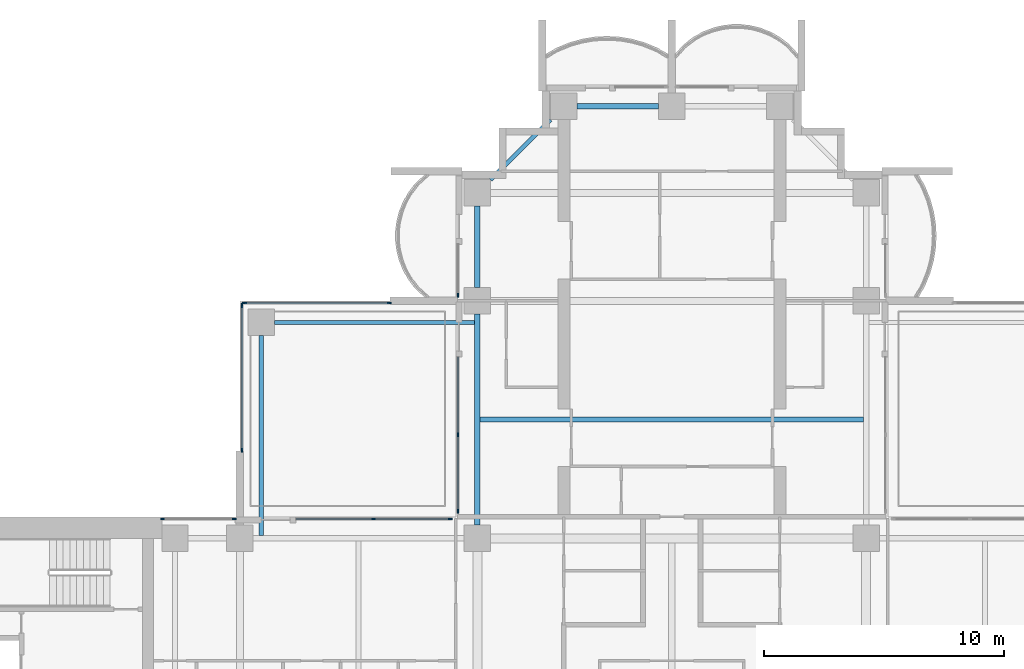
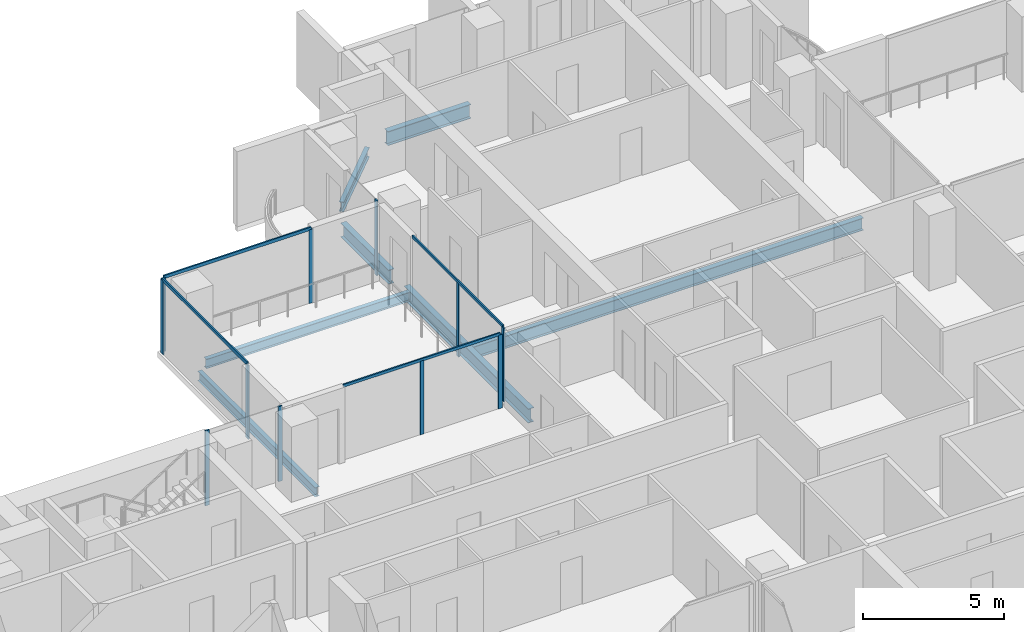
# One storey, part 5 of 19: 15 members, 7 beams, 6 elements without a shape of their own.
"""IFC4 building model written with IfcOpenShell, lengths in metres."""

from ifc_helpers import new_model, si_unit, direction, frame, origin, origin_2d, place, context, subcontext, project, spatial, rectangle, i_section, extrude, material, material_profile, profile_set, type_object, element, aggregate, save


model = new_model("IFC4")

# Units and contexts
model_context = context("Model", 3, precision=1e-05, world=origin(), true_north=direction((0.0, 1.0)))
body_context = subcontext(model_context, "Body", "Model", "MODEL_VIEW")
ifc_project = project(units=[si_unit("LENGTHUNIT", "METRE"), si_unit("AREAUNIT", "SQUARE_METRE"), si_unit("VOLUMEUNIT", "CUBIC_METRE"), si_unit("PLANEANGLEUNIT", "RADIAN"), si_unit("MASSUNIT", "GRAM", prefix="KILO")], contexts=[model_context])

# Site, building, storey
site_placement = place(None, origin())
site = spatial("IfcSite", under=ifc_project, at=site_placement, CompositionType="ELEMENT")
building_placement = place(site_placement, origin())
building = spatial("IfcBuilding", under=site, at=building_placement, Name="Perihelion Cross Residences", CompositionType="ELEMENT")
storey_placement = place(building_placement, frame((0.0, 0.0, 109.39990234375)))
storey = spatial("IfcBuildingStorey", under=building, at=storey_placement, Name="L25", CompositionType="ELEMENT", Elevation=109.39990234375)

# Curtain wall, member
ifc_material_1 = material(Name="Bronze anodised aluminium, tinted glazing", Category="aluminium")
curtain_wall_type_1 = type_object("IfcCurtainWallType", Name="CW1", PredefinedType="NOTDEFINED", material=ifc_material_1)
curtain_wall_1_placement = place(storey_placement, origin())
curtain_wall_1 = element("IfcCurtainWall", 1, at=curtain_wall_1_placement, inside=storey, type_object=curtain_wall_type_1, Name="Curtain wall CW1 L25 north side west bay 1", PredefinedType="NOTDEFINED")
ifc_material_2 = material(Name="Bronze anodised aluminium", Category="aluminium")
ifc_material_profile_1 = material_profile(ifc_material_2, rectangle(XDim=0.06005859375, YDim=0.159912109375, at=origin_2d()), Name="CW1 mullion")
ifc_profile_set_1 = profile_set([ifc_material_profile_1], Name="Bronze anodised aluminium")
member_type_1 = type_object("IfcMemberType", Name="CW1 mullion", PredefinedType="MULLION", material=ifc_profile_set_1)
member_1_placement = place(storey_placement, frame((-8.89990234375, 18.22998046875, 0.0), z_axis=(0.0, 0.0, 1.0), x_axis=(1.0, 0.0, 0.0)))
member_1 = element("IfcMember", 2, at=member_1_placement, type_object=member_type_1, Name="CW1 mullion 2", PredefinedType="MULLION", context=body_context, shape_type="SweptSolid", body=[
    extrude(rectangle(XDim=0.06005859375, YDim=0.159912109375, at=origin_2d()), origin(), (0.0, 0.0, 1.0), 3.25),
])
aggregate(curtain_wall_1, [member_1])

# Curtain wall, members
curtain_wall_2_placement = place(storey_placement, origin())
curtain_wall_2 = element("IfcCurtainWall", 3, at=curtain_wall_2_placement, inside=storey, type_object=curtain_wall_type_1, Name="Curtain wall CW1 L25 north side west bay 2", PredefinedType="NOTDEFINED")
member_2_placement = place(storey_placement, frame((-8.89990234375, 12.425048828125, 0.0), z_axis=(0.0, 0.0, 1.0), x_axis=(1.0, 0.0, 0.0)))
member_2 = element("IfcMember", 4, at=member_2_placement, type_object=member_type_1, Name="CW1 mullion 2", PredefinedType="MULLION", context=body_context, shape_type="SweptSolid", body=[
    extrude(rectangle(XDim=0.06005859375, YDim=0.159912109375, at=origin_2d()), origin(), (0.0, 0.0, 1.0), 3.190185546875),
])
member_3_placement = place(storey_placement, frame((-8.89990234375, 9.22998046875, 0.0), z_axis=(0.0, 0.0, 1.0), x_axis=(1.0, 0.0, 0.0)))
member_3 = element("IfcMember", 5, at=member_3_placement, type_object=member_type_1, Name="CW1 mullion 3", PredefinedType="MULLION", context=body_context, shape_type="SweptSolid", body=[
    extrude(rectangle(XDim=0.06005859375, YDim=0.159912109375, at=origin_2d()), origin(), (0.0, 0.0, 1.0), 3.190185546875),
])

curtain_wall_3_placement = place(storey_placement, origin())
curtain_wall_3 = element("IfcCurtainWall", 6, at=curtain_wall_3_placement, inside=storey, type_object=curtain_wall_type_1, Name="Curtain wall CW1 L25 west side north bay 1", PredefinedType="NOTDEFINED")
member_4_placement = place(storey_placement, frame((-9.22998046875, 8.89990234375, 0.0), z_axis=(0.0, 0.0, 1.0), x_axis=(0.0, -1.0, 0.0)))
member_4 = element("IfcMember", 7, at=member_4_placement, type_object=member_type_1, Name="CW1 mullion 1", PredefinedType="MULLION", context=body_context, shape_type="SweptSolid", body=[
    extrude(rectangle(XDim=0.06005859375, YDim=0.159912109375, at=origin_2d()), origin(), (0.0, 0.0, 1.0), 3.190185546875),
])
member_5_placement = place(storey_placement, frame((-12.425048828125, 8.89990234375, 0.0), z_axis=(0.0, 0.0, 1.0), x_axis=(0.0, -1.0, 0.0)))
member_5 = element("IfcMember", 8, at=member_5_placement, type_object=member_type_1, Name="CW1 mullion 2", PredefinedType="MULLION", context=body_context, shape_type="SweptSolid", body=[
    extrude(rectangle(XDim=0.06005859375, YDim=0.159912109375, at=origin_2d()), origin(), (0.0, 0.0, 1.0), 3.190185546875),
])

curtain_wall_4_placement = place(storey_placement, origin())
curtain_wall_4 = element("IfcCurtainWall", 9, at=curtain_wall_4_placement, inside=storey, type_object=curtain_wall_type_1, Name="Curtain wall CW1 L25 west side north bay 2", PredefinedType="NOTDEFINED")
member_6_placement = place(storey_placement, frame((-18.22998046875, 8.89990234375, 0.0), z_axis=(0.0, 0.0, 1.0), x_axis=(0.0, -1.0, 0.0)))
member_6 = element("IfcMember", 10, at=member_6_placement, type_object=member_type_1, Name="CW1 mullion 1", PredefinedType="MULLION", context=body_context, shape_type="SweptSolid", body=[
    extrude(rectangle(XDim=0.06005859375, YDim=0.159912109375, at=origin_2d()), origin(), (0.0, 0.0, 1.0), 3.25),
])
member_7_placement = place(storey_placement, frame((-21.219970703125, 8.89990234375, 0.0), z_axis=(0.0, 0.0, 1.0), x_axis=(0.0, -1.0, 0.0)))
member_7 = element("IfcMember", 11, at=member_7_placement, type_object=member_type_1, Name="CW1 mullion 2", PredefinedType="MULLION", context=body_context, shape_type="SweptSolid", body=[
    extrude(rectangle(XDim=0.06005859375, YDim=0.159912109375, at=origin_2d()), origin(), (0.0, 0.0, 1.0), 3.25),
])
aggregate(curtain_wall_4, [member_6, member_7])

# Member
ifc_material_3 = material(Name="Bronze anodised aluminium", Category="aluminium")
ifc_material_profile_2 = material_profile(ifc_material_3, rectangle(XDim=0.06005859375, YDim=0.1201171875, at=origin_2d()), Name="CW1 transom")
ifc_profile_set_2 = profile_set([ifc_material_profile_2], Name="Bronze anodised aluminium")
member_type_2 = type_object("IfcMemberType", Name="CW1 transom", PredefinedType="USERDEFINED", material=ifc_profile_set_2)
member_8_placement = place(storey_placement, frame((-8.89990234375, 15.64990234375, 3.22021484375), z_axis=(0.0, -1.0, 0.0), x_axis=(1.0, 0.0, 0.0)))
member_8 = element("IfcMember", 12, at=member_8_placement, type_object=member_type_2, Name="CW1 head transom", ObjectType="TRANSOM", PredefinedType="USERDEFINED", context=body_context, shape_type="SweptSolid", body=[
    extrude(rectangle(XDim=0.06005859375, YDim=0.1201171875, at=origin_2d()), origin(), (0.0, 0.0, 1.0), 6.419921875),
])

aggregate(curtain_wall_2, [member_2, member_3, member_8])

member_9_placement = place(storey_placement, frame((-9.22998046875, 8.89990234375, 3.22021484375), z_axis=(-1.0, 0.0, 0.0), x_axis=(0.0, -1.0, 0.0)))
member_9 = element("IfcMember", 13, at=member_9_placement, type_object=member_type_2, Name="CW1 head transom", ObjectType="TRANSOM", PredefinedType="USERDEFINED", context=body_context, shape_type="SweptSolid", body=[
    extrude(rectangle(XDim=0.06005859375, YDim=0.1201171875, at=origin_2d()), origin(), (0.0, 0.0, 1.0), 6.419921875),
])

aggregate(curtain_wall_3, [member_4, member_5, member_9])

# Curtain wall, members
ifc_material_4 = material(Name="Bronze anodised aluminium, tinted glazing", Category="aluminium")
curtain_wall_type_2 = type_object("IfcCurtainWallType", Name="CW4", PredefinedType="NOTDEFINED", material=ifc_material_4)
curtain_wall_5_placement = place(storey_placement, origin())
curtain_wall_5 = element("IfcCurtainWall", 14, at=curtain_wall_5_placement, inside=storey, type_object=curtain_wall_type_2, Name="Curtain wall CW4 L25 pocket north-west 1 1", PredefinedType="NOTDEFINED")
ifc_material_5 = material(Name="Bronze anodised aluminium", Category="aluminium")
ifc_material_profile_3 = material_profile(ifc_material_5, rectangle(XDim=0.06005859375, YDim=0.179931640625, at=origin_2d()), Name="CW4 mullion")
ifc_profile_set_3 = profile_set([ifc_material_profile_3], Name="Bronze anodised aluminium")
member_type_3 = type_object("IfcMemberType", Name="CW4 mullion", PredefinedType="MULLION", material=ifc_profile_set_3)
member_10_placement = place(storey_placement, frame((-17.89990234375, 11.77001953125, 0.0), z_axis=(0.0, 0.0, 1.0), x_axis=(-1.0, 0.0, 0.0)))
member_10 = element("IfcMember", 15, at=member_10_placement, type_object=member_type_3, Name="CW4 mullion 1", PredefinedType="MULLION", context=body_context, shape_type="SweptSolid", body=[
    extrude(rectangle(XDim=0.06005859375, YDim=0.179931640625, at=origin_2d()), origin(), (0.0, 0.0, 1.0), 3.190185546875),
])
member_11_placement = place(storey_placement, frame((-17.89990234375, 17.800048828125, 0.0), z_axis=(0.0, 0.0, 1.0), x_axis=(-1.0, 0.0, 0.0)))
member_11 = element("IfcMember", 16, at=member_11_placement, type_object=member_type_3, Name="CW4 mullion 2", PredefinedType="MULLION", context=body_context, shape_type="SweptSolid", body=[
    extrude(rectangle(XDim=0.06005859375, YDim=0.179931640625, at=origin_2d()), origin(), (0.0, 0.0, 1.0), 3.190185546875),
])

curtain_wall_6_placement = place(storey_placement, origin())
curtain_wall_6 = element("IfcCurtainWall", 17, at=curtain_wall_6_placement, inside=storey, type_object=curtain_wall_type_2, Name="Curtain wall CW4 L25 pocket north-west 1 2", PredefinedType="NOTDEFINED")
member_12_placement = place(storey_placement, frame((-17.800048828125, 17.89990234375, 0.0), z_axis=(0.0, 0.0, 1.0), x_axis=(0.0, 1.0, 0.0)))
member_12 = element("IfcMember", 18, at=member_12_placement, type_object=member_type_3, Name="CW4 mullion 1", PredefinedType="MULLION", context=body_context, shape_type="SweptSolid", body=[
    extrude(rectangle(XDim=0.06005859375, YDim=0.179931640625, at=origin_2d()), origin(), (0.0, 0.0, 1.0), 3.190185546875),
])
member_13_placement = place(storey_placement, frame((-11.77001953125, 17.89990234375, 0.0), z_axis=(0.0, 0.0, 1.0), x_axis=(0.0, 1.0, 0.0)))
member_13 = element("IfcMember", 19, at=member_13_placement, type_object=member_type_3, Name="CW4 mullion 2", PredefinedType="MULLION", context=body_context, shape_type="SweptSolid", body=[
    extrude(rectangle(XDim=0.06005859375, YDim=0.179931640625, at=origin_2d()), origin(), (0.0, 0.0, 1.0), 3.190185546875),
])

# Member
ifc_material_6 = material(Name="Bronze anodised aluminium", Category="aluminium")
ifc_material_profile_4 = material_profile(ifc_material_6, rectangle(XDim=0.06005859375, YDim=0.139892578125, at=origin_2d()), Name="CW4 transom")
ifc_profile_set_4 = profile_set([ifc_material_profile_4], Name="Bronze anodised aluminium")
member_type_4 = type_object("IfcMemberType", Name="CW4 transom", PredefinedType="USERDEFINED", material=ifc_profile_set_4)
member_14_placement = place(storey_placement, frame((-17.89990234375, 11.77001953125, 3.22021484375), z_axis=(0.0, 1.0, 0.0), x_axis=(-1.0, 0.0, 0.0)))
member_14 = element("IfcMember", 20, at=member_14_placement, type_object=member_type_4, Name="CW4 head transom", ObjectType="TRANSOM", PredefinedType="USERDEFINED", context=body_context, shape_type="SweptSolid", body=[
    extrude(rectangle(XDim=0.06005859375, YDim=0.139892578125, at=origin_2d()), origin(), (0.0, 0.0, 1.0), 6.030029296875),
])

aggregate(curtain_wall_5, [member_10, member_11, member_14])

member_15_placement = place(storey_placement, frame((-17.800048828125, 17.89990234375, 3.22021484375), z_axis=(1.0, 0.0, 0.0), x_axis=(0.0, 1.0, 0.0)))
member_15 = element("IfcMember", 21, at=member_15_placement, type_object=member_type_4, Name="CW4 head transom", ObjectType="TRANSOM", PredefinedType="USERDEFINED", context=body_context, shape_type="SweptSolid", body=[
    extrude(rectangle(XDim=0.06005859375, YDim=0.139892578125, at=origin_2d()), origin(), (0.0, 0.0, 1.0), 6.030029296875),
])

aggregate(curtain_wall_6, [member_12, member_13, member_15])

# Beams
ifc_material_7 = material(Name="Steel S355", Category="steel")
ifc_material_profile_5 = material_profile(ifc_material_7, i_section(OverallWidth=0.177978515625, OverallDepth=0.406005859375, WebThickness=0.0078125, FlangeThickness=0.0126953125, at=origin_2d()), Name="W410x60")
ifc_profile_set_5 = profile_set([ifc_material_profile_5], Name="Steel S355")
beam_type_1 = type_object("IfcBeamType", Name="Core edge beam W410x60", PredefinedType="BEAM", material=ifc_profile_set_5)
for number, where, z_axis, x_axis, name in (
    (22, (-17.10009765625, 8.214599609375, -0.452880859375), (0.0, 1.0, 0.0), (-1.0, 0.0, 0.0), "Core edge beam TB2 L25 corner no. 3"),
    (23, (-8.214599609375, 17.10009765625, -0.452880859375), (-1.0, 0.0, 0.0), (0.0, -1.0, 0.0), "Core edge beam TB2 L25 corner no. 4"),
):
    element("IfcBeam", number, at=place(storey_placement, frame(where, z_axis=z_axis, x_axis=x_axis)), inside=storey, type_object=beam_type_1, Name=name, PredefinedType="BEAM", context=body_context, shape_type="SweptSolid", body=[
        extrude(i_section(OverallWidth=0.177978515625, OverallDepth=0.406005859375, WebThickness=0.0078125, FlangeThickness=0.0126953125, at=origin_2d()), origin(), (0.0, 0.0, 1.0), 8.33544921875),
    ])
ifc_material_8 = material(Name="Steel S355", Category="steel")
ifc_material_profile_6 = material_profile(ifc_material_8, i_section(OverallWidth=0.22900390625, OverallDepth=0.612060546875, WebThickness=0.011962890625, FlangeThickness=0.01953125, at=origin_2d()), Name="W610x125")
ifc_profile_set_6 = profile_set([ifc_material_profile_6], Name="Steel S355")
beam_type_2 = type_object("IfcBeamType", Name="Edge beam W610x125", PredefinedType="SPANDREL", material=ifc_profile_set_6)
for number, where, z_axis, x_axis, name in (
    (24, (-0.550048828125, 26.10009765625, -0.555908203125), (-1.0, 0.0, 0.0), (0.0, -1.0, 0.0), "Edge beam SB3 L25 no. 10"),
    (25, (-8.10009765625, 21.949951171875, -0.555908203125), (0.0, -1.0, 0.0), (1.0, 0.0, 0.0), "Edge beam SB3 L25 no. 7"),
):
    element("IfcBeam", number, at=place(storey_placement, frame(where, z_axis=z_axis, x_axis=x_axis)), inside=storey, type_object=beam_type_2, Name=name, PredefinedType="SPANDREL", context=body_context, shape_type="SweptSolid", body=[
        extrude(i_section(OverallWidth=0.22900390625, OverallDepth=0.612060546875, WebThickness=0.011962890625, FlangeThickness=0.01953125, at=origin_2d()), origin(), (0.0, 0.0, 1.0), 3.39990234375),
    ])
beam_1_placement = place(storey_placement, frame((-8.10009765625, 17.449951171875, -0.555908203125), z_axis=(0.0, -1.0, 0.0), x_axis=(1.0, 0.0, 0.0)))
element("IfcBeam", 26, at=beam_1_placement, inside=storey, type_object=beam_type_2, Name="Edge beam SB3 L25 no. 6", PredefinedType="SPANDREL", context=body_context, shape_type="SweptSolid", body=[
    extrude(i_section(OverallWidth=0.22900390625, OverallDepth=0.612060546875, WebThickness=0.011962890625, FlangeThickness=0.01953125, at=origin_2d()), origin(), (0.0, 0.0, 1.0), 8.800048828125),
])
ifc_material_9 = material(Name="Steel S355", Category="steel")
ifc_material_profile_7 = material_profile(ifc_material_9, i_section(OverallWidth=0.208984375, OverallDepth=0.532958984375, WebThickness=0.01025390625, FlangeThickness=0.015625, at=origin_2d()), Name="W530x92")
ifc_profile_set_7 = profile_set([ifc_material_profile_7], Name="Steel S355")
beam_type_3 = type_object("IfcBeamType", Name="Floor joist W530x92", PredefinedType="JOIST", material=ifc_profile_set_7)
beam_2_placement = place(storey_placement, frame((-7.985595703125, 13.050048828125, -0.516357421875), z_axis=(1.0, 0.0, 0.0), x_axis=(0.0, 1.0, 0.0)))
element("IfcBeam", 27, at=beam_2_placement, inside=storey, type_object=beam_type_3, Name="Joist J4 L25 no. 4", PredefinedType="JOIST", context=body_context, shape_type="SweptSolid", body=[
    extrude(i_section(OverallWidth=0.208984375, OverallDepth=0.532958984375, WebThickness=0.01025390625, FlangeThickness=0.015625, at=origin_2d()), origin(), (0.0, 0.0, 1.0), 15.97119140625),
])
ifc_material_10 = material(Name="Steel S355", Category="steel")
ifc_material_profile_8 = material_profile(ifc_material_10, i_section(OverallWidth=0.180908203125, OverallDepth=0.4169921875, WebThickness=0.010986328125, FlangeThickness=0.018310546875, at=origin_2d()), Name="W410x85")
ifc_profile_set_8 = profile_set([ifc_material_profile_8], Name="Steel S355")
beam_type_4 = type_object("IfcBeamType", Name="Serration edge beam W410x85", PredefinedType="BEAM", material=ifc_profile_set_8)
beam_3_placement = place(storey_placement, frame((-5.050048828125, 25.550048828125, -0.45849609375), z_axis=(-0.707106781187, -0.707106781187, 0.0), x_axis=(0.707106781187, -0.707106781187, 0.0)))
element("IfcBeam", 28, at=beam_3_placement, inside=storey, type_object=beam_type_4, Name="Serration edge beam EB3 L25 no. 1", PredefinedType="BEAM", context=body_context, shape_type="SweptSolid", body=[
    extrude(i_section(OverallWidth=0.180908203125, OverallDepth=0.4169921875, WebThickness=0.010986328125, FlangeThickness=0.018310546875, at=origin_2d()), origin(), (0.0, 0.0, 1.0), 3.53564453125),
])

save(model, "model.ifc")
